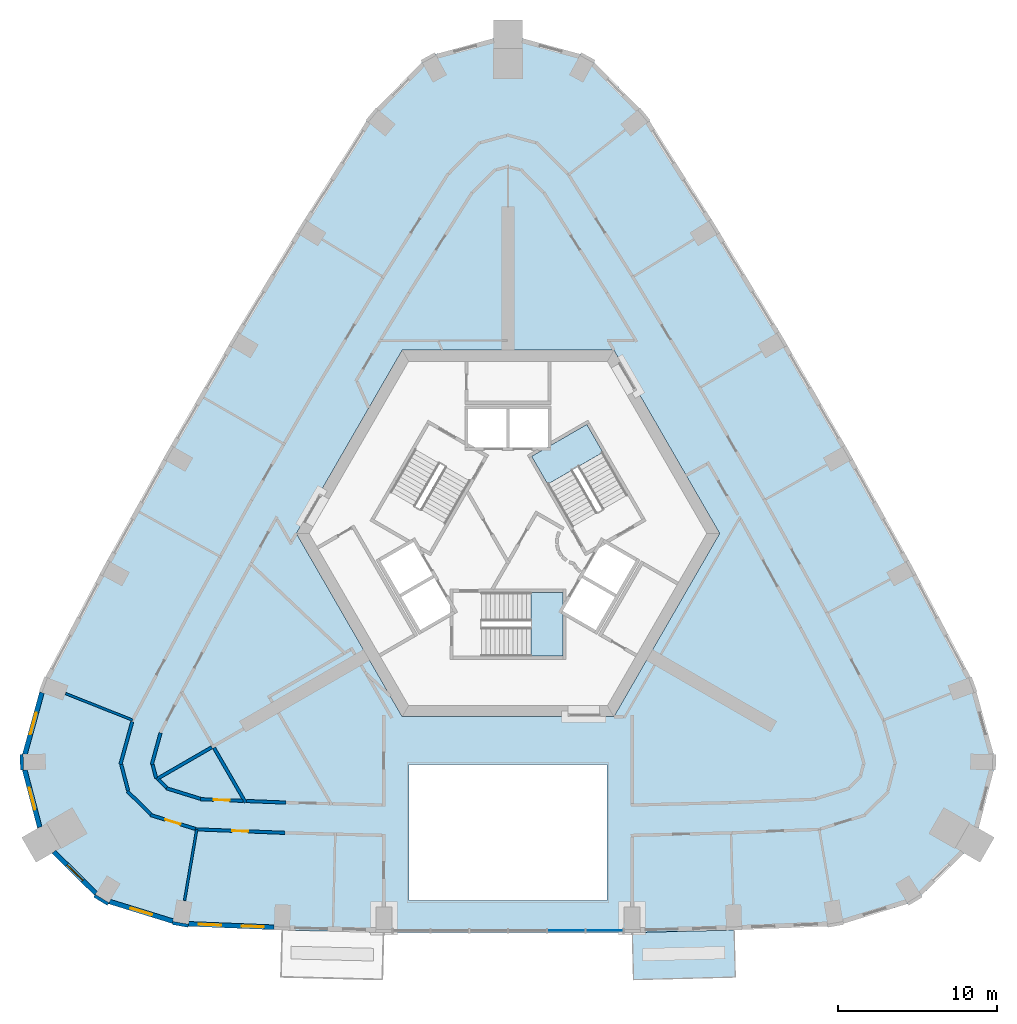
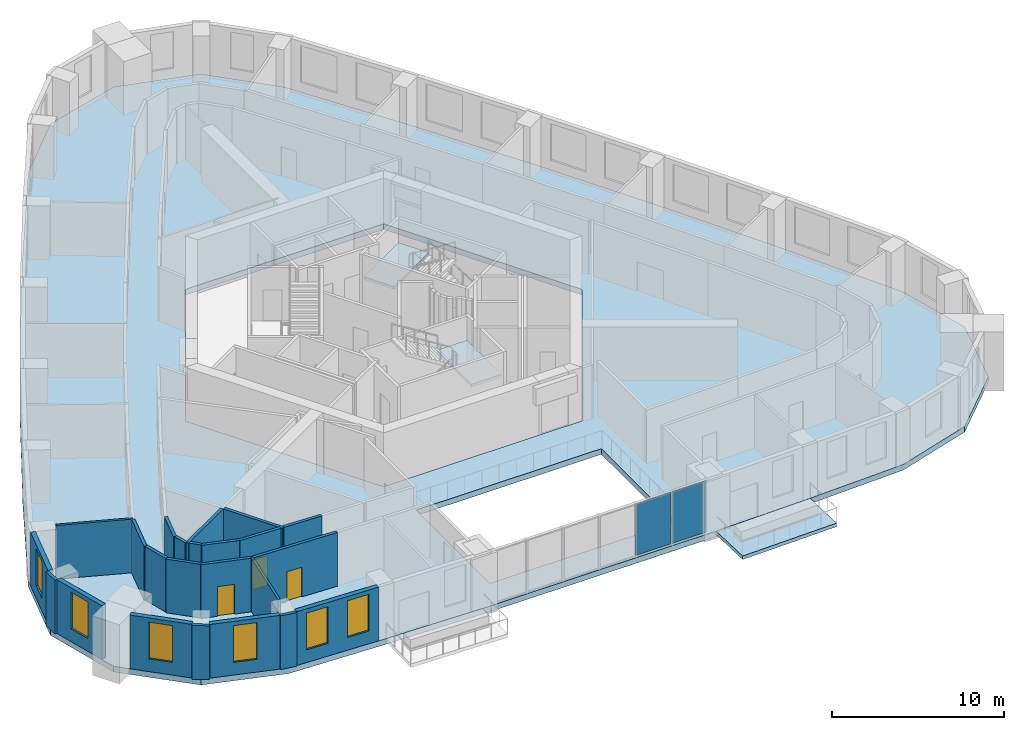
# One storey, part 3 of 11: 23 walls, 6 windows, 4 slabs, 3 doors, 2 plates, 9 openings, 3 elements without a shape of their own.
"""IFC4 building model written with IfcOpenShell, lengths in metres."""

from ifc_helpers import new_model, si_unit, direction, frame, frame_2d, origin, origin_2d, place, context, subcontext, project, spatial, polyline, rectangle, outline, extrude, material, layer, layer_set, type_object, element, fill, aggregate, save


model = new_model("IFC4")

# Units and contexts
model_context = context("Model", 3, precision=1e-05, world=origin(), true_north=direction((0.0, 1.0)))
body_context = subcontext(model_context, "Body", "Model", "MODEL_VIEW")
ifc_project = project(units=[si_unit("LENGTHUNIT", "METRE"), si_unit("AREAUNIT", "SQUARE_METRE"), si_unit("VOLUMEUNIT", "CUBIC_METRE"), si_unit("PLANEANGLEUNIT", "RADIAN"), si_unit("MASSUNIT", "GRAM", prefix="KILO")], contexts=[model_context])

# Site, building, storey
site_placement = place(None, origin())
site = spatial("IfcSite", under=ifc_project, at=site_placement, CompositionType="ELEMENT")
building_placement = place(site_placement, origin())
building = spatial("IfcBuilding", under=site, at=building_placement, Name="Entoto Arch Interchange Tower", CompositionType="ELEMENT")
storey_placement = place(building_placement, frame((0.0, 0.0, 206.60009765625)))
storey = spatial("IfcBuildingStorey", under=building, at=storey_placement, Name="L46", CompositionType="ELEMENT", Elevation=206.60009765625)

# Slab
ifc_material_1 = material(Name="Board-marked precast concrete C50/60", Category="concrete")
ifc_layer_1 = layer(ifc_material_1, 0.25)
ifc_layer_set_1 = layer_set([ifc_layer_1], Name="Board-marked precast concrete C50/60")
slab_type_1 = type_object("IfcSlabType", Name="BALCONY DECK PRECAST 250", PredefinedType="FLOOR", material=ifc_layer_set_1)
slab_1_placement = place(storey_placement, frame((0.0, 0.0, -0.25)))
element("IfcSlab", 1, at=slab_1_placement, inside=storey, type_object=slab_type_1, Name="Planted balcony S-04 L46", PredefinedType="FLOOR", context=body_context, shape_type="SweptSolid", body=[
    extrude(outline(polyline([(7.800048828125, -22.5439453125), (14.18505859375, -22.383056640625), (14.259033203125, -25.33203125), (7.8740234375, -25.492919921875), (7.800048828125, -22.5439453125)])), origin(), (0.0, 0.0, 1.0), 0.25),
])

# Stair, slab
ifc_material_2 = material(Name="Concrete C40/50", Category="concrete")
stair_type = type_object("IfcStairType", Name="EXIT STAIR RC 1800", PredefinedType="HALF_TURN_STAIR", material=ifc_material_2)
stair_1_placement = place(storey_placement, origin())
stair_1 = element("IfcStair", 2, at=stair_1_placement, inside=storey, type_object=stair_type, Name="L46 Exit stair S", PredefinedType="HALF_TURN_STAIR")
ifc_layer_2 = layer(ifc_material_2, 0.199951171875)
ifc_layer_set_2 = layer_set([ifc_layer_2], Name="Concrete C40/50")
slab_type_2 = type_object("IfcSlabType", Name="EXIT STAIR LANDING RC 200", PredefinedType="LANDING", material=ifc_layer_set_2)
slab_2_placement = place(storey_placement, frame((0.0, 0.0, 1.89990234375)))
slab_2 = element("IfcSlab", 3, at=slab_2_placement, type_object=slab_type_2, Name="ST-S landing 1", PredefinedType="LANDING", context=body_context, shape_type="SweptSolid", body=[
    extrude(outline(polyline([(1.429931640625, -5.199951171875), (3.449951171875, -5.199951171875), (3.449951171875, -1.199951171875), (1.429931640625, -1.199951171875), (1.429931640625, -5.199951171875)])), origin(), (0.0, 0.0, 1.0), 0.199951171875),
])
aggregate(stair_1, [slab_2])

stair_2_placement = place(storey_placement, origin())
stair_2 = element("IfcStair", 4, at=stair_2_placement, inside=storey, type_object=stair_type, Name="L46 Exit stair NE", PredefinedType="HALF_TURN_STAIR")
slab_3_placement = place(storey_placement, frame((0.0, 0.0, 1.89990234375)))
slab_3 = element("IfcSlab", 5, at=slab_3_placement, type_object=slab_type_2, Name="ST-NE landing 1", PredefinedType="LANDING", context=body_context, shape_type="SweptSolid", body=[
    extrude(outline(polyline([(5.953369140625, 7.58837890625), (4.943359375, 9.337890625), (1.479248046875, 7.337890625), (2.4892578125, 5.58837890625), (5.953369140625, 7.58837890625)])), origin(), (0.0, 0.0, 1.0), 0.199951171875),
])
aggregate(stair_2, [slab_3])

# Curtain wall, plates
ifc_material_3 = material(Name="Aluminium, anodised", Category="aluminium")
curtain_wall_type = type_object("IfcCurtainWallType", Name="CURTAIN WALL ATRIUM", PredefinedType="NOTDEFINED", material=ifc_material_3)
curtain_wall_placement = place(storey_placement, origin())
curtain_wall = element("IfcCurtainWall", 6, at=curtain_wall_placement, inside=storey, type_object=curtain_wall_type, Name="Atrium glazing S-03 L46", PredefinedType="NOTDEFINED")
ifc_material_4 = material(Name="Clear glass, low-e double glazed", Category="glass")
ifc_layer_3 = layer(ifc_material_4, 0.031982421875)
ifc_layer_set_3 = layer_set([ifc_layer_3], Name="Clear glass, low-e double glazed")
plate_type = type_object("IfcPlateType", Name="GLAZING PANEL ATRIUM 32", PredefinedType="CURTAIN_PANEL", material=ifc_layer_set_3)
plate_1_placement = place(storey_placement, frame((3.6494140625, -22.4189453125, 0.080078125), z_axis=(0.0, 0.0, 1.0), x_axis=(1.0, 0.0, 0.0)))
plate_1 = element("IfcPlate", 7, at=plate_1_placement, type_object=plate_type, Name="CWA panel 5.1", PredefinedType="CURTAIN_PANEL", context=body_context, shape_type="SweptSolid", body=[
    extrude(rectangle(XDim=2.3330078125, YDim=0.031982421875, at=origin_2d()), origin(), (0.0, 0.0, 1.0), 3.639892578125),
])
plate_2_placement = place(storey_placement, frame((6.0576171875, -22.4189453125, 0.080078125), z_axis=(0.0, 0.0, 1.0), x_axis=(1.0, 0.0, 0.0)))
plate_2 = element("IfcPlate", 8, at=plate_2_placement, type_object=plate_type, Name="CWA panel 6.1", PredefinedType="CURTAIN_PANEL", context=body_context, shape_type="SweptSolid", body=[
    extrude(rectangle(XDim=2.282958984375, YDim=0.031982421875, at=origin_2d()), origin(), (0.0, 0.0, 1.0), 3.639892578125),
])
aggregate(curtain_wall, [plate_1, plate_2])

# Slab
ifc_layer_4 = layer(ifc_material_2, 0.39990234375)
ifc_layer_set_4 = layer_set([ifc_layer_4], Name="Concrete C40/50")
slab_type_3 = type_object("IfcSlabType", Name="Post-tensioned flat plate 400 C40/50", PredefinedType="FLOOR", material=ifc_layer_set_4)
slab_4_placement = place(storey_placement, frame((0.0, 0.0, -0.400146484375)))
element("IfcSlab", 9, at=slab_4_placement, inside=storey, type_object=slab_type_3, Name="Floor slab L46", PredefinedType="FLOOR", context=body_context, shape_type="SweptSolid", body=[
    extrude(outline(polyline([(-20.569091796875, -22.1279296875), (-14.18505859375, -22.383056640625), (-7.800048828125, -22.5439453125), (7.800048828125, -22.5439453125), (14.18505859375, -22.383056640625), (20.569091796875, -22.1279296875), (25.571044921875, -20.5791015625), (29.284912109375, -16.907958984375), (30.60693359375, -11.85595703125), (29.256103515625, -6.951904296875), (25.383056640625, 0.385009765625), (21.39892578125, 7.596923828125), (17.279052734375, 14.73291015625), (13.02490234375, 21.7900390625), (8.60693359375, 28.81298828125), (5.035888671875, 32.43408203125), (0.0, 33.81494140625), (-5.035888671875, 32.43408203125), (-8.60693359375, 28.81298828125), (-13.02490234375, 21.7900390625), (-17.279052734375, 14.73291015625), (-21.39892578125, 7.596923828125), (-25.383056640625, 0.385009765625), (-29.256103515625, -6.951904296875), (-30.60693359375, -11.85595703125), (-29.284912109375, -16.907958984375), (-25.571044921875, -20.5791015625), (-20.569091796875, -22.1279296875)]), holes=[polyline([(6.199951171875, -20.5439453125), (6.199951171875, -12.0), (-6.199951171875, -12.0), (-6.199951171875, -20.5439453125), (6.199951171875, -20.5439453125)]), polyline([(13.279052734375, 2.5), (6.639892578125, 14.0), (-6.639892578125, 14.0), (-13.279052734375, 2.5), (-6.639892578125, -9.0), (6.639892578125, -9.0), (13.279052734375, 2.5)])]), origin(), (0.0, 0.0, 1.0), 0.400146484375),
])

# Walls
ifc_material_5 = material(Name="Gypsum board partition on steel studs", Category="steel")
ifc_layer_5 = layer(ifc_material_5, 0.14990234375)
ifc_layer_set_5 = layer_set([ifc_layer_5], Name="Gypsum board partition on steel studs")
wall_type_1 = type_object("IfcWallType", Name="PARTITION 150", PredefinedType="PARTITIONING", material=ifc_layer_set_5)
wall_1_placement = place(storey_placement, frame((-23.552001953125, -9.2119140625, 0.0), z_axis=(0.0, 0.0, 1.0), x_axis=(-0.929720624715, 0.368265610639, 0.0)))
element("IfcWall", 10, at=wall_1_placement, inside=storey, type_object=wall_type_1, Name="wall:L46:p120", PredefinedType="PARTITIONING", context=body_context, shape_type="SweptSolid", body=[
    extrude(rectangle(XDim=4.515380859375, YDim=0.14990234375, at=frame_2d((2.2578125, 0.0))), origin(), (0.0, 0.0, 1.0), 3.7998046875),
])
wall_2_placement = place(storey_placement, frame((-19.527099609375, -16.06494140625, 0.0), z_axis=(0.0, 0.0, 1.0), x_axis=(-0.169437821314, -0.985540879268, 0.0)))
element("IfcWall", 11, at=wall_2_placement, inside=storey, type_object=wall_type_1, Name="wall:L46:p121", PredefinedType="PARTITIONING", context=body_context, shape_type="SweptSolid", body=[
    extrude(rectangle(XDim=4.531494140625, YDim=0.14990234375, at=frame_2d((2.265625, 0.0))), origin(), (0.0, 0.0, 1.0), 3.7998046875),
])
ifc_layer_6 = layer(ifc_material_5, 0.199951171875)
ifc_layer_set_6 = layer_set([ifc_layer_6], Name="Gypsum board partition on steel studs")
wall_type_2 = type_object("IfcWallType", Name="PARTITION 200", PredefinedType="PARTITIONING", material=ifc_layer_set_6)
wall_3_placement = place(storey_placement, frame((-16.422119140625, -14.287109375, 0.0), z_axis=(0.0, 0.0, 1.0), x_axis=(0.999201426829, -0.039956333943, 0.0)))
element("IfcWall", 12, at=wall_3_placement, inside=storey, type_object=wall_type_2, Name="wall:L46:p029", PredefinedType="PARTITIONING", context=body_context, shape_type="SweptSolid", body=[
    extrude(rectangle(XDim=2.4990234375, YDim=0.199951171875, at=frame_2d((1.24951171875, 0.0))), origin(), (0.0, 0.0, 1.0), 3.7998046875),
])
wall_4_placement = place(storey_placement, frame((-21.801025390625, -10.012939453125, 0.0), z_axis=(0.0, 0.0, 1.0), x_axis=(-0.265584627827, -0.964087550725, 0.0)))
element("IfcWall", 13, at=wall_4_placement, inside=storey, type_object=wall_type_2, Name="wall:L46:p032", PredefinedType="PARTITIONING", context=body_context, shape_type="SweptSolid", body=[
    extrude(rectangle(XDim=2.0673828125, YDim=0.199951171875, at=frame_2d((1.03369140625, 0.0))), origin(), (0.0, 0.0, 1.0), 3.7998046875),
])
wall_5_placement = place(storey_placement, frame((-22.298095703125, -12.006103515625, 0.0), z_axis=(0.0, 0.0, 1.0), x_axis=(0.252647929446, -0.967558279251, 0.0)))
element("IfcWall", 14, at=wall_5_placement, inside=storey, type_object=wall_type_2, Name="wall:L46:p033", PredefinedType="PARTITIONING", context=body_context, shape_type="SweptSolid", body=[
    extrude(rectangle(XDim=0.87939453125, YDim=0.199951171875, at=frame_2d((0.439697265625, 0.0))), origin(), (0.0, 0.0, 1.0), 3.7998046875),
])
wall_6_placement = place(storey_placement, frame((-21.912109375, -12.947998046875, 0.0), z_axis=(0.0, 0.0, 1.0), x_axis=(0.712089244685, -0.702088959893, 0.0)))
element("IfcWall", 15, at=wall_6_placement, inside=storey, type_object=wall_type_2, Name="wall:L46:p034", PredefinedType="PARTITIONING", context=body_context, shape_type="SweptSolid", body=[
    extrude(rectangle(XDim=0.7080078125, YDim=0.199951171875, at=frame_2d((0.35400390625, 0.0))), origin(), (0.0, 0.0, 1.0), 3.7998046875),
])
wall_7_placement = place(storey_placement, frame((-21.43310546875, -13.486083984375, 0.0), z_axis=(0.0, 0.0, 1.0), x_axis=(0.955241047187, -0.295828568211, 0.0)))
element("IfcWall", 16, at=wall_7_placement, inside=storey, type_object=wall_type_2, Name="wall:L46:p035", PredefinedType="PARTITIONING", context=body_context, shape_type="SweptSolid", body=[
    extrude(rectangle(XDim=2.234130859375, YDim=0.199951171875, at=frame_2d((1.1171875, 0.0))), origin(), (0.0, 0.0, 1.0), 3.7998046875),
])

# Wall, opening, door
wall_8_placement = place(storey_placement, frame((-19.302978515625, -14.172119140625, 0.0), z_axis=(0.0, 0.0, 1.0), x_axis=(0.999205458466, -0.03985538574, 0.0)))
wall_8 = element("IfcWall", 17, at=wall_8_placement, inside=storey, type_object=wall_type_2, Name="wall:L46:p036", PredefinedType="PARTITIONING", context=body_context, shape_type="SweptSolid", body=[
    extrude(rectangle(XDim=2.68310546875, YDim=0.199951171875, at=frame_2d((1.341552734375, 0.0))), origin(), (0.0, 0.0, 1.0), 3.7998046875),
])
opening_1_placement = place(wall_8_placement, frame((0.842041015625, 0.0, 0.0)))
opening_1 = element("IfcOpeningElement", 18, at=opening_1_placement, cuts=wall_8, Name="Opening L46-D24", PredefinedType="OPENING", context=body_context, shape_type="SweptSolid", body=[
    extrude(rectangle(XDim=1.0, YDim=2.10009765625, at=frame_2d((0.5, 1.050048828125))), frame((0.0, 0.10986328125, 0.0), z_axis=(0.0, -1.0, 0.0), x_axis=(1.0, 0.0, 0.0)), (0.0, 0.0, 1.0), 0.219970703125),
])
ifc_material_6 = material(Name="Timber door leaf in Steel S235 frame", Category="steel")
door_type = type_object("IfcDoorType", Name="DOOR DS-10 1000x2100", OperationType="SINGLE_SWING_LEFT", PredefinedType="DOOR", material=ifc_material_6)
door_1_placement = place(opening_1_placement, origin())
door_1 = element("IfcDoor", 19, at=door_1_placement, inside=storey, type_object=door_type, Name="door:L46:24", OperationType="SINGLE_SWING_LEFT", OverallHeight=2.10009765625, OverallWidth=1.0, PredefinedType="DOOR", context=body_context, shape_type="SweptSolid", body=[
    extrude(rectangle(XDim=1.0, YDim=2.10009765625, at=frame_2d((0.5, 1.050048828125))), frame((0.0, 0.02490234375, 0.0), z_axis=(0.0, -1.0, 0.0), x_axis=(1.0, 0.0, 0.0)), (0.0, 0.0, 1.0), 0.050048828125),
])
fill(opening_1, door_1)

wall_9_placement = place(storey_placement, frame((-19.623046875, -16.034912109375, 0.0), z_axis=(0.0, 0.0, 1.0), x_axis=(-0.955234616163, 0.295849333419, 0.0)))
wall_9 = element("IfcWall", 20, at=wall_9_placement, inside=storey, type_object=wall_type_2, Name="wall:L46:p059", PredefinedType="PARTITIONING", context=body_context, shape_type="SweptSolid", body=[
    extrude(rectangle(XDim=2.94677734375, YDim=0.199951171875, at=frame_2d((1.473388671875, 0.0))), origin(), (0.0, 0.0, 1.0), 3.7998046875),
])
opening_2_placement = place(wall_9_placement, frame((0.97412109375, 0.0, 0.0)))
opening_2 = element("IfcOpeningElement", 21, at=opening_2_placement, cuts=wall_9, Name="Opening L46-D13", PredefinedType="OPENING", context=body_context, shape_type="SweptSolid", body=[
    extrude(rectangle(XDim=1.0, YDim=2.10009765625, at=frame_2d((0.5, 1.050048828125))), frame((0.0, 0.10986328125, 0.0), z_axis=(0.0, -1.0, 0.0), x_axis=(1.0, 0.0, 0.0)), (0.0, 0.0, 1.0), 0.219970703125),
])
door_2_placement = place(opening_2_placement, origin())
door_2 = element("IfcDoor", 22, at=door_2_placement, inside=storey, type_object=door_type, Name="door:L46:13", OperationType="SINGLE_SWING_LEFT", OverallHeight=2.10009765625, OverallWidth=1.0, PredefinedType="DOOR", context=body_context, shape_type="SweptSolid", body=[
    extrude(rectangle(XDim=1.0, YDim=2.10009765625, at=frame_2d((0.5, 1.050048828125))), frame((0.0, 0.02490234375, 0.0), z_axis=(0.0, -1.0, 0.0), x_axis=(1.0, 0.0, 0.0)), (0.0, 0.0, 1.0), 0.050048828125),
])
fill(opening_2, door_2)

# Walls
wall_10_placement = place(storey_placement, frame((-22.4140625, -15.123046875, 0.0), z_axis=(0.0, 0.0, 1.0), x_axis=(-0.710949827962, 0.703242733429, 0.0)))
element("IfcWall", 23, at=wall_10_placement, inside=storey, type_object=wall_type_2, Name="wall:L46:p060", PredefinedType="PARTITIONING", context=body_context, shape_type="SweptSolid", body=[
    extrude(rectangle(XDim=2.05908203125, YDim=0.199951171875, at=frame_2d((1.029541015625, 0.0))), origin(), (0.0, 0.0, 1.0), 3.7998046875),
])
wall_11_placement = place(storey_placement, frame((-23.8330078125, -13.64892578125, 0.0), z_axis=(0.0, 0.0, 1.0), x_axis=(-0.253025690571, 0.967459559832, 0.0)))
element("IfcWall", 24, at=wall_11_placement, inside=storey, type_object=wall_type_2, Name="wall:L46:p061", PredefinedType="PARTITIONING", context=body_context, shape_type="SweptSolid", body=[
    extrude(rectangle(XDim=1.711669921875, YDim=0.199951171875, at=frame_2d((0.85595703125, 0.0))), origin(), (0.0, 0.0, 1.0), 3.7998046875),
])
wall_12_placement = place(storey_placement, frame((-24.318115234375, -11.992919921875, 0.0), z_axis=(0.0, 0.0, 1.0), x_axis=(0.265884037198, 0.964005020092, 0.0)))
element("IfcWall", 25, at=wall_12_placement, inside=storey, type_object=wall_type_2, Name="wall:L46:p062", PredefinedType="PARTITIONING", context=body_context, shape_type="SweptSolid", body=[
    extrude(rectangle(XDim=2.783935546875, YDim=0.199951171875, at=frame_2d((1.39208984375, 0.0))), origin(), (0.0, 0.0, 1.0), 3.7998046875),
])

# Wall, opening, door
wall_13_placement = place(storey_placement, frame((-13.986083984375, -16.285888671875, 0.0), z_axis=(0.0, 0.0, 1.0), x_axis=(-0.999206475857, 0.039829870775, 0.0)))
wall_13 = element("IfcWall", 26, at=wall_13_placement, inside=storey, type_object=wall_type_2, Name="wall:L46:p064", PredefinedType="PARTITIONING", context=body_context, shape_type="SweptSolid", body=[
    extrude(rectangle(XDim=5.645263671875, YDim=0.199951171875, at=frame_2d((2.82275390625, 0.0))), origin(), (0.0, 0.0, 1.0), 3.7998046875),
])
opening_3_placement = place(wall_13_placement, frame((2.322998046875, 0.0, 0.0)))
opening_3 = element("IfcOpeningElement", 27, at=opening_3_placement, cuts=wall_13, Name="Opening L46-D14", PredefinedType="OPENING", context=body_context, shape_type="SweptSolid", body=[
    extrude(rectangle(XDim=1.0, YDim=2.10009765625, at=frame_2d((0.5, 1.050048828125))), frame((0.0, 0.10986328125, 0.0), z_axis=(0.0, -1.0, 0.0), x_axis=(1.0, 0.0, 0.0)), (0.0, 0.0, 1.0), 0.219970703125),
])
door_3_placement = place(opening_3_placement, origin())
door_3 = element("IfcDoor", 28, at=door_3_placement, inside=storey, type_object=door_type, Name="door:L46:14", OperationType="SINGLE_SWING_LEFT", OverallHeight=2.10009765625, OverallWidth=1.0, PredefinedType="DOOR", context=body_context, shape_type="SweptSolid", body=[
    extrude(rectangle(XDim=1.0, YDim=2.10009765625, at=frame_2d((0.5, 1.050048828125))), frame((0.0, 0.02490234375, 0.0), z_axis=(0.0, -1.0, 0.0), x_axis=(1.0, 0.0, 0.0)), (0.0, 0.0, 1.0), 0.050048828125),
])
fill(opening_3, door_3)

# Walls
wall_14_placement = place(storey_placement, frame((-16.471923828125, -14.3701171875, 0.0), z_axis=(0.0, 0.0, 1.0), x_axis=(-0.500009715097, 0.866019794698, 0.0)))
element("IfcWall", 29, at=wall_14_placement, inside=storey, type_object=wall_type_2, Name="wall:L46:p107", PredefinedType="PARTITIONING", context=body_context, shape_type="SweptSolid", body=[
    extrude(rectangle(XDim=3.9482421875, YDim=0.199951171875, at=frame_2d((1.97412109375, 0.0))), origin(), (0.0, 0.0, 1.0), 3.7998046875),
])
wall_15_placement = place(storey_placement, frame((-18.5830078125, -10.9140625, 0.0), z_axis=(0.0, 0.0, 1.0), x_axis=(-0.8659987338, -0.500046190923, 0.0)))
element("IfcWall", 30, at=wall_15_placement, inside=storey, type_object=wall_type_2, Name="wall:L46:p108", PredefinedType="PARTITIONING", context=body_context, shape_type="SweptSolid", body=[
    extrude(rectangle(XDim=4.025390625, YDim=0.199951171875, at=frame_2d((2.0126953125, 0.0))), origin(), (0.0, 0.0, 1.0), 3.7998046875),
])

# Wall, openings, windows
ifc_material_7 = material(Name="Welded tuff (ignimbrite) cladding, warm buff", Category="masonry")
ifc_layer_7 = layer(ifc_material_7, 0.300048828125)
ifc_layer_set_7 = layer_set([ifc_layer_7], Name="Welded tuff (ignimbrite) cladding, warm buff")
wall_type_3 = type_object("IfcWallType", Name="STONE INFILL WALL 300", PredefinedType="STANDARD", material=ifc_layer_set_7)
wall_16_placement = place(storey_placement, frame((-20.0400390625, -21.9990234375, 0.0), z_axis=(0.0, 0.0, 1.0), x_axis=(0.999205241612, -0.039860822062, 0.0)))
wall_16 = element("IfcWall", 31, at=wall_16_placement, inside=storey, type_object=wall_type_3, Name="Facade wall S-01 L46", PredefinedType="STANDARD", context=body_context, shape_type="SweptSolid", body=[
    extrude(rectangle(XDim=5.365234375, YDim=0.300048828125, at=frame_2d((2.6826171875, 0.0))), origin(), (0.0, 0.0, 1.0), 3.7998046875),
])
opening_4_placement = place(wall_16_placement, frame((0.64111328125, 0.0, 0.89990234375)))
opening_4 = element("IfcOpeningElement", 32, at=opening_4_placement, cuts=wall_16, Name="Opening WO-B", PredefinedType="OPENING", context=body_context, shape_type="SweptSolid", body=[
    extrude(rectangle(XDim=1.39990234375, YDim=2.60009765625, at=frame_2d((0.699951171875, 1.300048828125))), frame((0.0, 0.16015625, 0.0), z_axis=(0.0, -1.0, 0.0), x_axis=(1.0, 0.0, 0.0)), (0.0, 0.0, 1.0), 0.320068359375),
])
opening_5_placement = place(wall_16_placement, frame((3.323974609375, 0.0, 0.89990234375)))
opening_5 = element("IfcOpeningElement", 33, at=opening_5_placement, cuts=wall_16, Name="Opening WO-B", PredefinedType="OPENING", context=body_context, shape_type="SweptSolid", body=[
    extrude(rectangle(XDim=1.39990234375, YDim=2.60009765625, at=frame_2d((0.699951171875, 1.300048828125))), frame((0.0, 0.16015625, 0.0), z_axis=(0.0, -1.0, 0.0), x_axis=(1.0, 0.0, 0.0)), (0.0, 0.0, 1.0), 0.320068359375),
])
window_type = type_object("IfcWindowType", Name="WINDOW WO-B 1400x2600", PartitioningType="DOUBLE_PANEL_VERTICAL", PredefinedType="WINDOW", material=ifc_material_4)
window_1_placement = place(opening_4_placement, origin())
window_1 = element("IfcWindow", 34, at=window_1_placement, inside=storey, type_object=window_type, Name="Window WO-B S-01 L46", OverallHeight=2.60009765625, OverallWidth=1.39990234375, PartitioningType="SINGLE_PANEL", PredefinedType="WINDOW", context=body_context, shape_type="SweptSolid", body=[
    extrude(rectangle(XDim=1.39990234375, YDim=2.60009765625, at=frame_2d((0.699951171875, 1.300048828125))), frame((0.0, 0.030029296875, 0.0), z_axis=(0.0, -1.0, 0.0), x_axis=(1.0, 0.0, 0.0)), (0.0, 0.0, 1.0), 0.06005859375),
])
fill(opening_4, window_1)
window_2_placement = place(opening_5_placement, origin())
window_2 = element("IfcWindow", 35, at=window_2_placement, inside=storey, type_object=window_type, Name="Window WO-B S-01 L46", OverallHeight=2.60009765625, OverallWidth=1.39990234375, PartitioningType="SINGLE_PANEL", PredefinedType="WINDOW", context=body_context, shape_type="SweptSolid", body=[
    extrude(rectangle(XDim=1.39990234375, YDim=2.60009765625, at=frame_2d((0.699951171875, 1.300048828125))), frame((0.0, 0.030029296875, 0.0), z_axis=(0.0, -1.0, 0.0), x_axis=(1.0, 0.0, 0.0)), (0.0, 0.0, 1.0), 0.06005859375),
])
fill(opening_5, window_2)

# Wall, opening, window
wall_17_placement = place(storey_placement, frame((-29.248046875, -7.487060546875, 0.0), z_axis=(0.0, 0.0, 1.0), x_axis=(-0.265534577923, -0.96410133696, 0.0)))
wall_17 = element("IfcWall", 36, at=wall_17_placement, inside=storey, type_object=wall_type_3, Name="Facade wall SW-01 L46", PredefinedType="STANDARD", context=body_context, shape_type="SweptSolid", body=[
    extrude(rectangle(XDim=4.0068359375, YDim=0.300048828125, at=frame_2d((2.00341796875, 0.0))), origin(), (0.0, 0.0, 1.0), 3.7998046875),
])
opening_6_placement = place(wall_17_placement, frame((1.302978515625, 0.0, 0.89990234375)))
opening_6 = element("IfcOpeningElement", 37, at=opening_6_placement, cuts=wall_17, Name="Opening WO-B", PredefinedType="OPENING", context=body_context, shape_type="SweptSolid", body=[
    extrude(rectangle(XDim=1.39990234375, YDim=2.60009765625, at=frame_2d((0.699951171875, 1.300048828125))), frame((0.0, 0.16015625, 0.0), z_axis=(0.0, -1.0, 0.0), x_axis=(1.0, 0.0, 0.0)), (0.0, 0.0, 1.0), 0.320068359375),
])
window_3_placement = place(opening_6_placement, origin())
window_3 = element("IfcWindow", 38, at=window_3_placement, inside=storey, type_object=window_type, Name="Window WO-B SW-01 L46", OverallHeight=2.60009765625, OverallWidth=1.39990234375, PartitioningType="SINGLE_PANEL", PredefinedType="WINDOW", context=body_context, shape_type="SweptSolid", body=[
    extrude(rectangle(XDim=1.39990234375, YDim=2.60009765625, at=frame_2d((0.699951171875, 1.300048828125))), frame((0.0, 0.030029296875, 0.0), z_axis=(0.0, -1.0, 0.0), x_axis=(1.0, 0.0, 0.0)), (0.0, 0.0, 1.0), 0.06005859375),
])
fill(opening_6, window_3)

wall_18_placement = place(storey_placement, frame((-30.322998046875, -12.347900390625, 0.0), z_axis=(0.0, 0.0, 1.0), x_axis=(0.253200635583, -0.96741378848, 0.0)))
wall_18 = element("IfcWall", 39, at=wall_18_placement, inside=storey, type_object=wall_type_3, Name="Facade wall SW-02 L46", PredefinedType="STANDARD", context=body_context, shape_type="SweptSolid", body=[
    extrude(rectangle(XDim=3.70068359375, YDim=0.300048828125, at=frame_2d((1.850341796875, 0.0))), origin(), (0.0, 0.0, 1.0), 3.7998046875),
])
opening_7_placement = place(wall_18_placement, frame((1.14990234375, 0.0, 0.89990234375)))
opening_7 = element("IfcOpeningElement", 40, at=opening_7_placement, cuts=wall_18, Name="Opening WO-B", PredefinedType="OPENING", context=body_context, shape_type="SweptSolid", body=[
    extrude(rectangle(XDim=1.39990234375, YDim=2.60009765625, at=frame_2d((0.699951171875, 1.300048828125))), frame((0.0, 0.16015625, 0.0), z_axis=(0.0, -1.0, 0.0), x_axis=(1.0, 0.0, 0.0)), (0.0, 0.0, 1.0), 0.320068359375),
])
window_4_placement = place(opening_7_placement, origin())
window_4 = element("IfcWindow", 41, at=window_4_placement, inside=storey, type_object=window_type, Name="Window WO-B SW-02 L46", OverallHeight=2.60009765625, OverallWidth=1.39990234375, PartitioningType="SINGLE_PANEL", PredefinedType="WINDOW", context=body_context, shape_type="SweptSolid", body=[
    extrude(rectangle(XDim=1.39990234375, YDim=2.60009765625, at=frame_2d((0.699951171875, 1.300048828125))), frame((0.0, 0.030029296875, 0.0), z_axis=(0.0, -1.0, 0.0), x_axis=(1.0, 0.0, 0.0)), (0.0, 0.0, 1.0), 0.06005859375),
])
fill(opening_7, window_4)

wall_19_placement = place(storey_placement, frame((-28.487060546875, -17.486083984375, 0.0), z_axis=(0.0, 0.0, 1.0), x_axis=(0.711316812334, -0.702871533419, 0.0)))
wall_19 = element("IfcWall", 42, at=wall_19_placement, inside=storey, type_object=wall_type_3, Name="Facade wall SW-03 L46", PredefinedType="STANDARD", context=body_context, shape_type="SweptSolid", body=[
    extrude(rectangle(XDim=3.7001953125, YDim=0.300048828125, at=frame_2d((1.85009765625, 0.0))), origin(), (0.0, 0.0, 1.0), 3.7998046875),
])
opening_8_placement = place(wall_19_placement, frame((1.14990234375, 0.0, 0.89990234375)))
opening_8 = element("IfcOpeningElement", 43, at=opening_8_placement, cuts=wall_19, Name="Opening WO-B", PredefinedType="OPENING", context=body_context, shape_type="SweptSolid", body=[
    extrude(rectangle(XDim=1.39990234375, YDim=2.60009765625, at=frame_2d((0.699951171875, 1.300048828125))), frame((0.0, 0.16015625, 0.0), z_axis=(0.0, -1.0, 0.0), x_axis=(1.0, 0.0, 0.0)), (0.0, 0.0, 1.0), 0.320068359375),
])
window_5_placement = place(opening_8_placement, origin())
window_5 = element("IfcWindow", 44, at=window_5_placement, inside=storey, type_object=window_type, Name="Window WO-B SW-03 L46", OverallHeight=2.60009765625, OverallWidth=1.39990234375, PartitioningType="SINGLE_PANEL", PredefinedType="WINDOW", context=body_context, shape_type="SweptSolid", body=[
    extrude(rectangle(XDim=1.39990234375, YDim=2.60009765625, at=frame_2d((0.699951171875, 1.300048828125))), frame((0.0, 0.030029296875, 0.0), z_axis=(0.0, -1.0, 0.0), x_axis=(1.0, 0.0, 0.0)), (0.0, 0.0, 1.0), 0.06005859375),
])
fill(opening_8, window_5)

wall_20_placement = place(storey_placement, frame((-24.9990234375, -20.59912109375, 0.0), z_axis=(0.0, 0.0, 1.0), x_axis=(0.955247215067, -0.295808651171, 0.0)))
wall_20 = element("IfcWall", 45, at=wall_20_placement, inside=storey, type_object=wall_type_3, Name="Facade wall SW-04 L46", PredefinedType="STANDARD", context=body_context, shape_type="SweptSolid", body=[
    extrude(rectangle(XDim=4.161376953125, YDim=0.300048828125, at=frame_2d((2.08056640625, 0.0))), origin(), (0.0, 0.0, 1.0), 3.7998046875),
])
opening_9_placement = place(wall_20_placement, frame((1.381103515625, 0.0, 0.89990234375)))
opening_9 = element("IfcOpeningElement", 46, at=opening_9_placement, cuts=wall_20, Name="Opening WO-B", PredefinedType="OPENING", context=body_context, shape_type="SweptSolid", body=[
    extrude(rectangle(XDim=1.39990234375, YDim=2.60009765625, at=frame_2d((0.699951171875, 1.300048828125))), frame((0.0, 0.16015625, 0.0), z_axis=(0.0, -1.0, 0.0), x_axis=(1.0, 0.0, 0.0)), (0.0, 0.0, 1.0), 0.320068359375),
])
window_6_placement = place(opening_9_placement, origin())
window_6 = element("IfcWindow", 47, at=window_6_placement, inside=storey, type_object=window_type, Name="Window WO-B SW-04 L46", OverallHeight=2.60009765625, OverallWidth=1.39990234375, PartitioningType="SINGLE_PANEL", PredefinedType="WINDOW", context=body_context, shape_type="SweptSolid", body=[
    extrude(rectangle(XDim=1.39990234375, YDim=2.60009765625, at=frame_2d((0.699951171875, 1.300048828125))), frame((0.0, 0.030029296875, 0.0), z_axis=(0.0, -1.0, 0.0), x_axis=(1.0, 0.0, 0.0)), (0.0, 0.0, 1.0), 0.06005859375),
])
fill(opening_9, window_6)

# Walls
ifc_layer_8 = layer(ifc_material_7, 0.199951171875)
ifc_layer_set_8 = layer_set([ifc_layer_8], Name="Welded tuff (ignimbrite) cladding, warm buff")
wall_type_4 = type_object("IfcWallType", Name="STONE PIER CLADDING 200", PredefinedType="STANDARD", material=ifc_layer_set_8)
wall_21_placement = place(storey_placement, frame((-21.044921875, -21.945068359375, 0.0), z_axis=(0.0, 0.0, 1.0), x_axis=(0.985631544579, -0.168909615862, 0.0)))
element("IfcWall", 48, at=wall_21_placement, inside=storey, type_object=wall_type_4, Name="Stone pier S01 L46", PredefinedType="STANDARD", context=body_context, shape_type="SweptSolid", body=[
    extrude(rectangle(XDim=1.000244140625, YDim=0.199951171875, at=frame_2d((0.5, 0.0))), origin(), (0.0, 0.0, 1.0), 3.7998046875),
])
wall_22_placement = place(storey_placement, frame((-30.51904296875, -11.35400390625, 0.0), z_axis=(0.0, 0.0, 1.0), x_axis=(0.023942303888, -0.999713341956, 0.0)))
element("IfcWall", 49, at=wall_22_placement, inside=storey, type_object=wall_type_4, Name="Stone pier SW1 L46", PredefinedType="STANDARD", context=body_context, shape_type="SweptSolid", body=[
    extrude(rectangle(XDim=0.999267578125, YDim=0.199951171875, at=frame_2d((0.49951171875, 0.0))), origin(), (0.0, 0.0, 1.0), 3.7998046875),
])
wall_23_placement = place(storey_placement, frame((-25.946044921875, -20.23291015625, 0.0), z_axis=(0.0, 0.0, 1.0), x_axis=(0.853679739553, -0.520798331677, 0.0)))
element("IfcWall", 50, at=wall_23_placement, inside=storey, type_object=wall_type_4, Name="Stone pier SW3 L46", PredefinedType="STANDARD", context=body_context, shape_type="SweptSolid", body=[
    extrude(rectangle(XDim=1.00048828125, YDim=0.199951171875, at=frame_2d((0.500244140625, 0.0))), origin(), (0.0, 0.0, 1.0), 3.7998046875),
])

save(model, "model.ifc")
